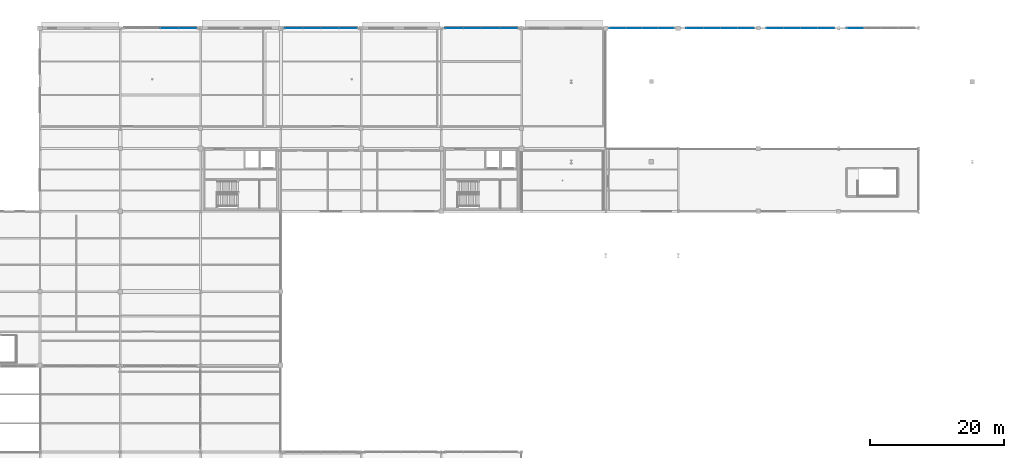
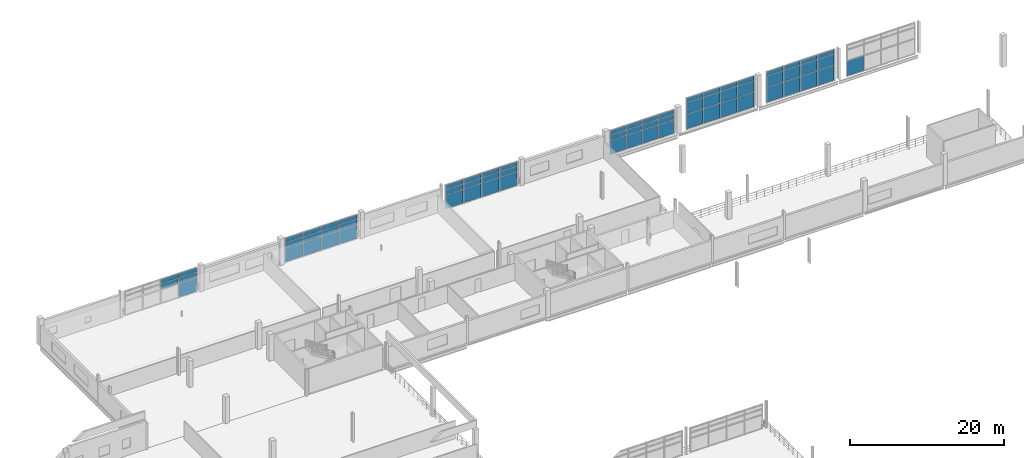
# One storey, part 62 of 89: 66 plates, 7 elements without a shape of their own.
"""IFC4 building model written with IfcOpenShell, lengths in metres."""

from ifc_helpers import new_model, si_unit, direction, frame, origin, origin_2d, place, context, subcontext, project, spatial, rectangle, extrude, material, layer, layer_set, type_object, element, aggregate, save


model = new_model("IFC4")

# Units and contexts
model_context = context("Model", 3, precision=1e-05, world=origin(), true_north=direction((0.0, 1.0)))
body_context = subcontext(model_context, "Body", "Model", "MODEL_VIEW")
ifc_project = project(units=[si_unit("LENGTHUNIT", "METRE"), si_unit("AREAUNIT", "SQUARE_METRE"), si_unit("VOLUMEUNIT", "CUBIC_METRE"), si_unit("PLANEANGLEUNIT", "RADIAN"), si_unit("MASSUNIT", "GRAM", prefix="KILO"), si_unit("THERMODYNAMICTEMPERATUREUNIT", "KELVIN"), si_unit("POWERUNIT", "WATT")], contexts=[model_context])

# Site, building, storey
site_placement = place(None, origin())
site = spatial("IfcSite", under=ifc_project, at=site_placement, CompositionType="ELEMENT")
building_placement = place(site_placement, origin())
building = spatial("IfcBuilding", under=site, at=building_placement, Name="Solmara Park Aquatics Centre", CompositionType="ELEMENT")
storey_placement = place(building_placement, frame((0.0, 0.0, 5.39990234375)))
storey = spatial("IfcBuildingStorey", under=building, at=storey_placement, Name="L01", CompositionType="ELEMENT", Elevation=5.39990234375)

# Curtain wall, plates
ifc_material_1 = material(Name="Anodised Aluminium Curtain Wall Framing", Category="aluminium")
curtain_wall_type_1 = type_object("IfcCurtainWallType", Name="ARC-CW-SYS03", PredefinedType="USERDEFINED", material=ifc_material_1)
curtain_wall_1_placement = place(storey_placement, origin())
curtain_wall_1 = element("IfcCurtainWall", 1, at=curtain_wall_1_placement, inside=storey, type_object=curtain_wall_type_1, Name="Curtain Wall CW-120", ObjectType="CURTAIN WALL", PredefinedType="USERDEFINED")
ifc_material_2 = material(Name="Double Low-E Solar-Control Glazing", Category="glass")
ifc_layer_1 = layer(ifc_material_2, 0.035888671875, Name="Double Low-E Solar-Control Glazing")
ifc_layer_set_1 = layer_set([ifc_layer_1], Name="Double Low-E Solar-Control Glazing")
plate_type_1 = type_object("IfcPlateType", Name="ARC-CWP-GLZ36-2320x2140", PredefinedType="CURTAIN_PANEL", material=ifc_layer_set_1)
plate_1_placement = place(storey_placement, frame((110.97998046875, 136.0, 0.080078125), z_axis=(0.0, 0.0, 1.0), x_axis=(1.0, 0.0, 0.0)))
plate_1 = element("IfcPlate", 2, at=plate_1_placement, type_object=plate_type_1, Name="CW-120 panel 1", PredefinedType="CURTAIN_PANEL", context=body_context, shape_type="SweptSolid", body=[
    extrude(rectangle(XDim=2.320068359375, YDim=0.035888671875, at=origin_2d()), origin(), (0.0, 0.0, 1.0), 2.13037109375),
])
plate_2_placement = place(storey_placement, frame((113.3798828125, 136.0, 0.080078125), z_axis=(0.0, 0.0, 1.0), x_axis=(1.0, 0.0, 0.0)))
plate_2 = element("IfcPlate", 3, at=plate_2_placement, type_object=plate_type_1, Name="CW-120 panel 4", PredefinedType="CURTAIN_PANEL", context=body_context, shape_type="SweptSolid", body=[
    extrude(rectangle(XDim=2.320068359375, YDim=0.035888671875, at=origin_2d()), origin(), (0.0, 0.0, 1.0), 2.13037109375),
])
plate_3_placement = place(storey_placement, frame((115.780029296875, 136.0, 0.080078125), z_axis=(0.0, 0.0, 1.0), x_axis=(1.0, 0.0, 0.0)))
plate_3 = element("IfcPlate", 4, at=plate_3_placement, type_object=plate_type_1, Name="CW-120 panel 7", PredefinedType="CURTAIN_PANEL", context=body_context, shape_type="SweptSolid", body=[
    extrude(rectangle(XDim=2.320068359375, YDim=0.035888671875, at=origin_2d()), origin(), (0.0, 0.0, 1.0), 2.13037109375),
])
plate_4_placement = place(storey_placement, frame((118.179931640625, 136.0, 0.080078125), z_axis=(0.0, 0.0, 1.0), x_axis=(1.0, 0.0, 0.0)))
plate_4 = element("IfcPlate", 5, at=plate_4_placement, type_object=plate_type_1, Name="CW-120 panel 10", PredefinedType="CURTAIN_PANEL", context=body_context, shape_type="SweptSolid", body=[
    extrude(rectangle(XDim=2.320068359375, YDim=0.035888671875, at=origin_2d()), origin(), (0.0, 0.0, 1.0), 2.13037109375),
])
ifc_layer_2 = layer(ifc_material_2, 0.035888671875, Name="Double Low-E Solar-Control Glazing")
ifc_layer_set_2 = layer_set([ifc_layer_2], Name="Double Low-E Solar-Control Glazing")
plate_type_2 = type_object("IfcPlateType", Name="ARC-CWP-GLZ36-2320x800", PredefinedType="CURTAIN_PANEL", material=ifc_layer_set_2)
plate_5_placement = place(storey_placement, frame((110.97998046875, 136.0, 2.29052734375), z_axis=(0.0, 0.0, 1.0), x_axis=(1.0, 0.0, 0.0)))
plate_5 = element("IfcPlate", 6, at=plate_5_placement, type_object=plate_type_2, Name="CW-120 panel 2", PredefinedType="CURTAIN_PANEL", context=body_context, shape_type="SweptSolid", body=[
    extrude(rectangle(XDim=2.320068359375, YDim=0.035888671875, at=origin_2d()), origin(), (0.0, 0.0, 1.0), 0.799560546875),
])
plate_6_placement = place(storey_placement, frame((113.3798828125, 136.0, 2.29052734375), z_axis=(0.0, 0.0, 1.0), x_axis=(1.0, 0.0, 0.0)))
plate_6 = element("IfcPlate", 7, at=plate_6_placement, type_object=plate_type_2, Name="CW-120 panel 5", PredefinedType="CURTAIN_PANEL", context=body_context, shape_type="SweptSolid", body=[
    extrude(rectangle(XDim=2.320068359375, YDim=0.035888671875, at=origin_2d()), origin(), (0.0, 0.0, 1.0), 0.799560546875),
])
plate_7_placement = place(storey_placement, frame((115.780029296875, 136.0, 2.29052734375), z_axis=(0.0, 0.0, 1.0), x_axis=(1.0, 0.0, 0.0)))
plate_7 = element("IfcPlate", 8, at=plate_7_placement, type_object=plate_type_2, Name="CW-120 panel 8", PredefinedType="CURTAIN_PANEL", context=body_context, shape_type="SweptSolid", body=[
    extrude(rectangle(XDim=2.320068359375, YDim=0.035888671875, at=origin_2d()), origin(), (0.0, 0.0, 1.0), 0.799560546875),
])
plate_8_placement = place(storey_placement, frame((118.179931640625, 136.0, 2.29052734375), z_axis=(0.0, 0.0, 1.0), x_axis=(1.0, 0.0, 0.0)))
plate_8 = element("IfcPlate", 9, at=plate_8_placement, type_object=plate_type_2, Name="CW-120 panel 11", PredefinedType="CURTAIN_PANEL", context=body_context, shape_type="SweptSolid", body=[
    extrude(rectangle(XDim=2.320068359375, YDim=0.035888671875, at=origin_2d()), origin(), (0.0, 0.0, 1.0), 0.799560546875),
])

curtain_wall_2_placement = place(storey_placement, origin())
curtain_wall_2 = element("IfcCurtainWall", 10, at=curtain_wall_2_placement, inside=storey, type_object=curtain_wall_type_1, Name="Curtain Wall CW-121", ObjectType="CURTAIN WALL", PredefinedType="USERDEFINED")
ifc_layer_3 = layer(ifc_material_2, 0.035888671875, Name="Double Low-E Solar-Control Glazing")
ifc_layer_set_3 = layer_set([ifc_layer_3], Name="Double Low-E Solar-Control Glazing")
plate_type_3 = type_object("IfcPlateType", Name="ARC-CWP-GLZ36-2460x1720", PredefinedType="CURTAIN_PANEL", material=ifc_layer_set_3)
plate_9_placement = place(storey_placement, frame((122.489990234375, 136.0, 2.490234375), z_axis=(0.0, 0.0, 1.0), x_axis=(1.0, 0.0, 0.0)))
plate_9 = element("IfcPlate", 11, at=plate_9_placement, type_object=plate_type_3, Name="CW-121 panel 2", PredefinedType="CURTAIN_PANEL", context=body_context, shape_type="SweptSolid", body=[
    extrude(rectangle(XDim=2.4599609375, YDim=0.035888671875, at=origin_2d()), origin(), (0.0, 0.0, 1.0), 1.719970703125),
])
plate_10_placement = place(storey_placement, frame((125.030029296875, 136.0, 2.490234375), z_axis=(0.0, 0.0, 1.0), x_axis=(1.0, 0.0, 0.0)))
plate_10 = element("IfcPlate", 12, at=plate_10_placement, type_object=plate_type_3, Name="CW-121 panel 5", PredefinedType="CURTAIN_PANEL", context=body_context, shape_type="SweptSolid", body=[
    extrude(rectangle(XDim=2.4599609375, YDim=0.035888671875, at=origin_2d()), origin(), (0.0, 0.0, 1.0), 1.719970703125),
])
plate_11_placement = place(storey_placement, frame((127.570068359375, 136.0, 2.490234375), z_axis=(0.0, 0.0, 1.0), x_axis=(1.0, 0.0, 0.0)))
plate_11 = element("IfcPlate", 13, at=plate_11_placement, type_object=plate_type_3, Name="CW-121 panel 8", PredefinedType="CURTAIN_PANEL", context=body_context, shape_type="SweptSolid", body=[
    extrude(rectangle(XDim=2.4599609375, YDim=0.035888671875, at=origin_2d()), origin(), (0.0, 0.0, 1.0), 1.719970703125),
])
plate_12_placement = place(storey_placement, frame((130.110107421875, 136.0, 2.490234375), z_axis=(0.0, 0.0, 1.0), x_axis=(1.0, 0.0, 0.0)))
plate_12 = element("IfcPlate", 14, at=plate_12_placement, type_object=plate_type_3, Name="CW-121 panel 11", PredefinedType="CURTAIN_PANEL", context=body_context, shape_type="SweptSolid", body=[
    extrude(rectangle(XDim=2.4599609375, YDim=0.035888671875, at=origin_2d()), origin(), (0.0, 0.0, 1.0), 1.719970703125),
])

curtain_wall_3_placement = place(storey_placement, origin())
curtain_wall_3 = element("IfcCurtainWall", 15, at=curtain_wall_3_placement, inside=storey, type_object=curtain_wall_type_1, Name="Curtain Wall CW-122", ObjectType="CURTAIN WALL", PredefinedType="USERDEFINED")
plate_13_placement = place(storey_placement, frame((134.489990234375, 136.0, 2.490234375), z_axis=(0.0, 0.0, 1.0), x_axis=(1.0, 0.0, 0.0)))
plate_13 = element("IfcPlate", 16, at=plate_13_placement, type_object=plate_type_3, Name="CW-122 panel 2", PredefinedType="CURTAIN_PANEL", context=body_context, shape_type="SweptSolid", body=[
    extrude(rectangle(XDim=2.4599609375, YDim=0.035888671875, at=origin_2d()), origin(), (0.0, 0.0, 1.0), 1.719970703125),
])
plate_14_placement = place(storey_placement, frame((137.030029296875, 136.0, 2.490234375), z_axis=(0.0, 0.0, 1.0), x_axis=(1.0, 0.0, 0.0)))
plate_14 = element("IfcPlate", 17, at=plate_14_placement, type_object=plate_type_3, Name="CW-122 panel 5", PredefinedType="CURTAIN_PANEL", context=body_context, shape_type="SweptSolid", body=[
    extrude(rectangle(XDim=2.4599609375, YDim=0.035888671875, at=origin_2d()), origin(), (0.0, 0.0, 1.0), 1.719970703125),
])
plate_15_placement = place(storey_placement, frame((139.570068359375, 136.0, 2.490234375), z_axis=(0.0, 0.0, 1.0), x_axis=(1.0, 0.0, 0.0)))
plate_15 = element("IfcPlate", 18, at=plate_15_placement, type_object=plate_type_3, Name="CW-122 panel 8", PredefinedType="CURTAIN_PANEL", context=body_context, shape_type="SweptSolid", body=[
    extrude(rectangle(XDim=2.4599609375, YDim=0.035888671875, at=origin_2d()), origin(), (0.0, 0.0, 1.0), 1.719970703125),
])
plate_16_placement = place(storey_placement, frame((142.110107421875, 136.0, 2.490234375), z_axis=(0.0, 0.0, 1.0), x_axis=(1.0, 0.0, 0.0)))
plate_16 = element("IfcPlate", 19, at=plate_16_placement, type_object=plate_type_3, Name="CW-122 panel 11", PredefinedType="CURTAIN_PANEL", context=body_context, shape_type="SweptSolid", body=[
    extrude(rectangle(XDim=2.4599609375, YDim=0.035888671875, at=origin_2d()), origin(), (0.0, 0.0, 1.0), 1.719970703125),
])

# Plate
ifc_layer_4 = layer(ifc_material_2, 0.035888671875, Name="Double Low-E Solar-Control Glazing")
ifc_layer_set_4 = layer_set([ifc_layer_4], Name="Double Low-E Solar-Control Glazing")
plate_type_4 = type_object("IfcPlateType", Name="ARC-CWP-GLZ36-2460x2320", PredefinedType="CURTAIN_PANEL", material=ifc_layer_set_4)
plate_17_placement = place(storey_placement, frame((122.489990234375, 136.0, 0.080078125), z_axis=(0.0, 0.0, 1.0), x_axis=(1.0, 0.0, 0.0)))
plate_17 = element("IfcPlate", 20, at=plate_17_placement, type_object=plate_type_4, Name="CW-121 panel 1", PredefinedType="CURTAIN_PANEL", context=body_context, shape_type="SweptSolid", body=[
    extrude(rectangle(XDim=2.4599609375, YDim=0.035888671875, at=origin_2d()), origin(), (0.0, 0.0, 1.0), 2.330078125),
])

plate_18_placement = place(storey_placement, frame((125.030029296875, 136.0, 0.080078125), z_axis=(0.0, 0.0, 1.0), x_axis=(1.0, 0.0, 0.0)))
plate_18 = element("IfcPlate", 21, at=plate_18_placement, type_object=plate_type_4, Name="CW-121 panel 4", PredefinedType="CURTAIN_PANEL", context=body_context, shape_type="SweptSolid", body=[
    extrude(rectangle(XDim=2.4599609375, YDim=0.035888671875, at=origin_2d()), origin(), (0.0, 0.0, 1.0), 2.330078125),
])

plate_19_placement = place(storey_placement, frame((127.570068359375, 136.0, 0.080078125), z_axis=(0.0, 0.0, 1.0), x_axis=(1.0, 0.0, 0.0)))
plate_19 = element("IfcPlate", 22, at=plate_19_placement, type_object=plate_type_4, Name="CW-121 panel 7", PredefinedType="CURTAIN_PANEL", context=body_context, shape_type="SweptSolid", body=[
    extrude(rectangle(XDim=2.4599609375, YDim=0.035888671875, at=origin_2d()), origin(), (0.0, 0.0, 1.0), 2.330078125),
])

plate_20_placement = place(storey_placement, frame((130.110107421875, 136.0, 0.080078125), z_axis=(0.0, 0.0, 1.0), x_axis=(1.0, 0.0, 0.0)))
plate_20 = element("IfcPlate", 23, at=plate_20_placement, type_object=plate_type_4, Name="CW-121 panel 10", PredefinedType="CURTAIN_PANEL", context=body_context, shape_type="SweptSolid", body=[
    extrude(rectangle(XDim=2.4599609375, YDim=0.035888671875, at=origin_2d()), origin(), (0.0, 0.0, 1.0), 2.330078125),
])

plate_21_placement = place(storey_placement, frame((134.489990234375, 136.0, 0.080078125), z_axis=(0.0, 0.0, 1.0), x_axis=(1.0, 0.0, 0.0)))
plate_21 = element("IfcPlate", 24, at=plate_21_placement, type_object=plate_type_4, Name="CW-122 panel 1", PredefinedType="CURTAIN_PANEL", context=body_context, shape_type="SweptSolid", body=[
    extrude(rectangle(XDim=2.4599609375, YDim=0.035888671875, at=origin_2d()), origin(), (0.0, 0.0, 1.0), 2.330078125),
])

plate_22_placement = place(storey_placement, frame((137.030029296875, 136.0, 0.080078125), z_axis=(0.0, 0.0, 1.0), x_axis=(1.0, 0.0, 0.0)))
plate_22 = element("IfcPlate", 25, at=plate_22_placement, type_object=plate_type_4, Name="CW-122 panel 4", PredefinedType="CURTAIN_PANEL", context=body_context, shape_type="SweptSolid", body=[
    extrude(rectangle(XDim=2.4599609375, YDim=0.035888671875, at=origin_2d()), origin(), (0.0, 0.0, 1.0), 2.330078125),
])

plate_23_placement = place(storey_placement, frame((139.570068359375, 136.0, 0.080078125), z_axis=(0.0, 0.0, 1.0), x_axis=(1.0, 0.0, 0.0)))
plate_23 = element("IfcPlate", 26, at=plate_23_placement, type_object=plate_type_4, Name="CW-122 panel 7", PredefinedType="CURTAIN_PANEL", context=body_context, shape_type="SweptSolid", body=[
    extrude(rectangle(XDim=2.4599609375, YDim=0.035888671875, at=origin_2d()), origin(), (0.0, 0.0, 1.0), 2.330078125),
])

plate_24_placement = place(storey_placement, frame((142.110107421875, 136.0, 0.080078125), z_axis=(0.0, 0.0, 1.0), x_axis=(1.0, 0.0, 0.0)))
plate_24 = element("IfcPlate", 27, at=plate_24_placement, type_object=plate_type_4, Name="CW-122 panel 10", PredefinedType="CURTAIN_PANEL", context=body_context, shape_type="SweptSolid", body=[
    extrude(rectangle(XDim=2.4599609375, YDim=0.035888671875, at=origin_2d()), origin(), (0.0, 0.0, 1.0), 2.330078125),
])

# Curtain wall, plate
curtain_wall_4_placement = place(storey_placement, origin())
curtain_wall_4 = element("IfcCurtainWall", 28, at=curtain_wall_4_placement, inside=storey, type_object=curtain_wall_type_1, Name="Curtain Wall CW-123", ObjectType="CURTAIN WALL", PredefinedType="USERDEFINED")
plate_25_placement = place(storey_placement, frame((146.489990234375, 136.0, 0.080078125), z_axis=(0.0, 0.0, 1.0), x_axis=(1.0, 0.0, 0.0)))
plate_25 = element("IfcPlate", 29, at=plate_25_placement, type_object=plate_type_4, Name="CW-123 panel 1", PredefinedType="CURTAIN_PANEL", context=body_context, shape_type="SweptSolid", body=[
    extrude(rectangle(XDim=2.4599609375, YDim=0.035888671875, at=origin_2d()), origin(), (0.0, 0.0, 1.0), 2.330078125),
])
aggregate(curtain_wall_4, [plate_25])

curtain_wall_type_2 = type_object("IfcCurtainWallType", Name="ARC-CW-SYS04", PredefinedType="USERDEFINED", material=ifc_material_1)
curtain_wall_5_placement = place(storey_placement, origin())
curtain_wall_5 = element("IfcCurtainWall", 30, at=curtain_wall_5_placement, inside=storey, type_object=curtain_wall_type_2, Name="Curtain Wall CW-117", ObjectType="CURTAIN WALL", PredefinedType="USERDEFINED")
ifc_layer_5 = layer(ifc_material_2, 0.035888671875, Name="Double Low-E Solar-Control Glazing")
ifc_layer_set_5 = layer_set([ifc_layer_5], Name="Double Low-E Solar-Control Glazing")
plate_type_5 = type_object("IfcPlateType", Name="ARC-CWP-GLZ36-2620x2140", PredefinedType="CURTAIN_PANEL", material=ifc_layer_set_5)
plate_26_placement = place(storey_placement, frame((46.6298828125, 136.0, 0.080078125), z_axis=(0.0, 0.0, 1.0), x_axis=(1.0, 0.0, 0.0)))
plate_26 = element("IfcPlate", 31, at=plate_26_placement, type_object=plate_type_5, Name="CW-117 panel 10", PredefinedType="CURTAIN_PANEL", context=body_context, shape_type="SweptSolid", body=[
    extrude(rectangle(XDim=2.6201171875, YDim=0.035888671875, at=origin_2d()), origin(), (0.0, 0.0, 1.0), 2.13037109375),
])

# Curtain wall, plates
curtain_wall_6_placement = place(storey_placement, origin())
curtain_wall_6 = element("IfcCurtainWall", 32, at=curtain_wall_6_placement, inside=storey, type_object=curtain_wall_type_2, Name="Curtain Wall CW-118", ObjectType="CURTAIN WALL", PredefinedType="USERDEFINED")
plate_27_placement = place(storey_placement, frame((62.530029296875, 136.0, 0.080078125), z_axis=(0.0, 0.0, 1.0), x_axis=(1.0, 0.0, 0.0)))
plate_27 = element("IfcPlate", 33, at=plate_27_placement, type_object=plate_type_5, Name="CW-118 panel 1", PredefinedType="CURTAIN_PANEL", context=body_context, shape_type="SweptSolid", body=[
    extrude(rectangle(XDim=2.6201171875, YDim=0.035888671875, at=origin_2d()), origin(), (0.0, 0.0, 1.0), 2.13037109375),
])
plate_28_placement = place(storey_placement, frame((65.22998046875, 136.0, 0.080078125), z_axis=(0.0, 0.0, 1.0), x_axis=(1.0, 0.0, 0.0)))
plate_28 = element("IfcPlate", 34, at=plate_28_placement, type_object=plate_type_5, Name="CW-118 panel 4", PredefinedType="CURTAIN_PANEL", context=body_context, shape_type="SweptSolid", body=[
    extrude(rectangle(XDim=2.6201171875, YDim=0.035888671875, at=origin_2d()), origin(), (0.0, 0.0, 1.0), 2.13037109375),
])
plate_29_placement = place(storey_placement, frame((67.929931640625, 136.0, 0.080078125), z_axis=(0.0, 0.0, 1.0), x_axis=(1.0, 0.0, 0.0)))
plate_29 = element("IfcPlate", 35, at=plate_29_placement, type_object=plate_type_5, Name="CW-118 panel 7", PredefinedType="CURTAIN_PANEL", context=body_context, shape_type="SweptSolid", body=[
    extrude(rectangle(XDim=2.6201171875, YDim=0.035888671875, at=origin_2d()), origin(), (0.0, 0.0, 1.0), 2.13037109375),
])
plate_30_placement = place(storey_placement, frame((70.6298828125, 136.0, 0.080078125), z_axis=(0.0, 0.0, 1.0), x_axis=(1.0, 0.0, 0.0)))
plate_30 = element("IfcPlate", 36, at=plate_30_placement, type_object=plate_type_5, Name="CW-118 panel 10", PredefinedType="CURTAIN_PANEL", context=body_context, shape_type="SweptSolid", body=[
    extrude(rectangle(XDim=2.6201171875, YDim=0.035888671875, at=origin_2d()), origin(), (0.0, 0.0, 1.0), 2.13037109375),
])

curtain_wall_7_placement = place(storey_placement, origin())
curtain_wall_7 = element("IfcCurtainWall", 37, at=curtain_wall_7_placement, inside=storey, type_object=curtain_wall_type_2, Name="Curtain Wall CW-119", ObjectType="CURTAIN WALL", PredefinedType="USERDEFINED")
plate_31_placement = place(storey_placement, frame((86.530029296875, 136.0, 0.080078125), z_axis=(0.0, 0.0, 1.0), x_axis=(1.0, 0.0, 0.0)))
plate_31 = element("IfcPlate", 38, at=plate_31_placement, type_object=plate_type_5, Name="CW-119 panel 1", PredefinedType="CURTAIN_PANEL", context=body_context, shape_type="SweptSolid", body=[
    extrude(rectangle(XDim=2.6201171875, YDim=0.035888671875, at=origin_2d()), origin(), (0.0, 0.0, 1.0), 2.13037109375),
])
plate_32_placement = place(storey_placement, frame((89.22998046875, 136.0, 0.080078125), z_axis=(0.0, 0.0, 1.0), x_axis=(1.0, 0.0, 0.0)))
plate_32 = element("IfcPlate", 39, at=plate_32_placement, type_object=plate_type_5, Name="CW-119 panel 4", PredefinedType="CURTAIN_PANEL", context=body_context, shape_type="SweptSolid", body=[
    extrude(rectangle(XDim=2.6201171875, YDim=0.035888671875, at=origin_2d()), origin(), (0.0, 0.0, 1.0), 2.13037109375),
])
plate_33_placement = place(storey_placement, frame((91.929931640625, 136.0, 0.080078125), z_axis=(0.0, 0.0, 1.0), x_axis=(1.0, 0.0, 0.0)))
plate_33 = element("IfcPlate", 40, at=plate_33_placement, type_object=plate_type_5, Name="CW-119 panel 7", PredefinedType="CURTAIN_PANEL", context=body_context, shape_type="SweptSolid", body=[
    extrude(rectangle(XDim=2.6201171875, YDim=0.035888671875, at=origin_2d()), origin(), (0.0, 0.0, 1.0), 2.13037109375),
])
plate_34_placement = place(storey_placement, frame((94.6298828125, 136.0, 0.080078125), z_axis=(0.0, 0.0, 1.0), x_axis=(1.0, 0.0, 0.0)))
plate_34 = element("IfcPlate", 41, at=plate_34_placement, type_object=plate_type_5, Name="CW-119 panel 10", PredefinedType="CURTAIN_PANEL", context=body_context, shape_type="SweptSolid", body=[
    extrude(rectangle(XDim=2.6201171875, YDim=0.035888671875, at=origin_2d()), origin(), (0.0, 0.0, 1.0), 2.13037109375),
])

# Plate
ifc_layer_6 = layer(ifc_material_2, 0.035888671875, Name="Double Low-E Solar-Control Glazing")
ifc_layer_set_6 = layer_set([ifc_layer_6], Name="Double Low-E Solar-Control Glazing")
plate_type_6 = type_object("IfcPlateType", Name="ARC-CWP-GLZ36-2620x800", PredefinedType="CURTAIN_PANEL", material=ifc_layer_set_6)
plate_35_placement = place(storey_placement, frame((43.929931640625, 136.0, 2.29052734375), z_axis=(0.0, 0.0, 1.0), x_axis=(1.0, 0.0, 0.0)))
plate_35 = element("IfcPlate", 42, at=plate_35_placement, type_object=plate_type_6, Name="CW-117 panel 8", PredefinedType="CURTAIN_PANEL", context=body_context, shape_type="SweptSolid", body=[
    extrude(rectangle(XDim=2.6201171875, YDim=0.035888671875, at=origin_2d()), origin(), (0.0, 0.0, 1.0), 0.799560546875),
])

plate_36_placement = place(storey_placement, frame((46.6298828125, 136.0, 2.29052734375), z_axis=(0.0, 0.0, 1.0), x_axis=(1.0, 0.0, 0.0)))
plate_36 = element("IfcPlate", 43, at=plate_36_placement, type_object=plate_type_6, Name="CW-117 panel 11", PredefinedType="CURTAIN_PANEL", context=body_context, shape_type="SweptSolid", body=[
    extrude(rectangle(XDim=2.6201171875, YDim=0.035888671875, at=origin_2d()), origin(), (0.0, 0.0, 1.0), 0.799560546875),
])

plate_37_placement = place(storey_placement, frame((62.530029296875, 136.0, 2.29052734375), z_axis=(0.0, 0.0, 1.0), x_axis=(1.0, 0.0, 0.0)))
plate_37 = element("IfcPlate", 44, at=plate_37_placement, type_object=plate_type_6, Name="CW-118 panel 2", PredefinedType="CURTAIN_PANEL", context=body_context, shape_type="SweptSolid", body=[
    extrude(rectangle(XDim=2.6201171875, YDim=0.035888671875, at=origin_2d()), origin(), (0.0, 0.0, 1.0), 0.799560546875),
])

plate_38_placement = place(storey_placement, frame((65.22998046875, 136.0, 2.29052734375), z_axis=(0.0, 0.0, 1.0), x_axis=(1.0, 0.0, 0.0)))
plate_38 = element("IfcPlate", 45, at=plate_38_placement, type_object=plate_type_6, Name="CW-118 panel 5", PredefinedType="CURTAIN_PANEL", context=body_context, shape_type="SweptSolid", body=[
    extrude(rectangle(XDim=2.6201171875, YDim=0.035888671875, at=origin_2d()), origin(), (0.0, 0.0, 1.0), 0.799560546875),
])

plate_39_placement = place(storey_placement, frame((67.929931640625, 136.0, 2.29052734375), z_axis=(0.0, 0.0, 1.0), x_axis=(1.0, 0.0, 0.0)))
plate_39 = element("IfcPlate", 46, at=plate_39_placement, type_object=plate_type_6, Name="CW-118 panel 8", PredefinedType="CURTAIN_PANEL", context=body_context, shape_type="SweptSolid", body=[
    extrude(rectangle(XDim=2.6201171875, YDim=0.035888671875, at=origin_2d()), origin(), (0.0, 0.0, 1.0), 0.799560546875),
])

plate_40_placement = place(storey_placement, frame((70.6298828125, 136.0, 2.29052734375), z_axis=(0.0, 0.0, 1.0), x_axis=(1.0, 0.0, 0.0)))
plate_40 = element("IfcPlate", 47, at=plate_40_placement, type_object=plate_type_6, Name="CW-118 panel 11", PredefinedType="CURTAIN_PANEL", context=body_context, shape_type="SweptSolid", body=[
    extrude(rectangle(XDim=2.6201171875, YDim=0.035888671875, at=origin_2d()), origin(), (0.0, 0.0, 1.0), 0.799560546875),
])

plate_41_placement = place(storey_placement, frame((86.530029296875, 136.0, 2.29052734375), z_axis=(0.0, 0.0, 1.0), x_axis=(1.0, 0.0, 0.0)))
plate_41 = element("IfcPlate", 48, at=plate_41_placement, type_object=plate_type_6, Name="CW-119 panel 2", PredefinedType="CURTAIN_PANEL", context=body_context, shape_type="SweptSolid", body=[
    extrude(rectangle(XDim=2.6201171875, YDim=0.035888671875, at=origin_2d()), origin(), (0.0, 0.0, 1.0), 0.799560546875),
])

plate_42_placement = place(storey_placement, frame((89.22998046875, 136.0, 2.29052734375), z_axis=(0.0, 0.0, 1.0), x_axis=(1.0, 0.0, 0.0)))
plate_42 = element("IfcPlate", 49, at=plate_42_placement, type_object=plate_type_6, Name="CW-119 panel 5", PredefinedType="CURTAIN_PANEL", context=body_context, shape_type="SweptSolid", body=[
    extrude(rectangle(XDim=2.6201171875, YDim=0.035888671875, at=origin_2d()), origin(), (0.0, 0.0, 1.0), 0.799560546875),
])

plate_43_placement = place(storey_placement, frame((91.929931640625, 136.0, 2.29052734375), z_axis=(0.0, 0.0, 1.0), x_axis=(1.0, 0.0, 0.0)))
plate_43 = element("IfcPlate", 50, at=plate_43_placement, type_object=plate_type_6, Name="CW-119 panel 8", PredefinedType="CURTAIN_PANEL", context=body_context, shape_type="SweptSolid", body=[
    extrude(rectangle(XDim=2.6201171875, YDim=0.035888671875, at=origin_2d()), origin(), (0.0, 0.0, 1.0), 0.799560546875),
])

plate_44_placement = place(storey_placement, frame((94.6298828125, 136.0, 2.29052734375), z_axis=(0.0, 0.0, 1.0), x_axis=(1.0, 0.0, 0.0)))
plate_44 = element("IfcPlate", 51, at=plate_44_placement, type_object=plate_type_6, Name="CW-119 panel 11", PredefinedType="CURTAIN_PANEL", context=body_context, shape_type="SweptSolid", body=[
    extrude(rectangle(XDim=2.6201171875, YDim=0.035888671875, at=origin_2d()), origin(), (0.0, 0.0, 1.0), 0.799560546875),
])

ifc_material_3 = material(Name="Golden-Ochre Enamelled Aluminium Fascia Panel", Category="aluminium")
ifc_layer_7 = layer(ifc_material_3, 0.0400390625, Name="Golden-Ochre Enamelled Aluminium Fascia Panel")
ifc_layer_set_7 = layer_set([ifc_layer_7], Name="Golden-Ochre Enamelled Aluminium Fascia Panel")
plate_type_7 = type_object("IfcPlateType", Name="ARC-CWP-OCH40-2320x620", PredefinedType="CURTAIN_PANEL", material=ifc_layer_set_7)
plate_45_placement = place(storey_placement, frame((110.97998046875, 136.0, 3.170166015625), z_axis=(0.0, 0.0, 1.0), x_axis=(1.0, 0.0, 0.0)))
plate_45 = element("IfcPlate", 52, at=plate_45_placement, type_object=plate_type_7, Name="CW-120 panel 3", PredefinedType="CURTAIN_PANEL", context=body_context, shape_type="SweptSolid", body=[
    extrude(rectangle(XDim=2.320068359375, YDim=0.0400390625, at=origin_2d()), origin(), (0.0, 0.0, 1.0), 0.6298828125),
])

plate_46_placement = place(storey_placement, frame((113.3798828125, 136.0, 3.170166015625), z_axis=(0.0, 0.0, 1.0), x_axis=(1.0, 0.0, 0.0)))
plate_46 = element("IfcPlate", 53, at=plate_46_placement, type_object=plate_type_7, Name="CW-120 panel 6", PredefinedType="CURTAIN_PANEL", context=body_context, shape_type="SweptSolid", body=[
    extrude(rectangle(XDim=2.320068359375, YDim=0.0400390625, at=origin_2d()), origin(), (0.0, 0.0, 1.0), 0.6298828125),
])

plate_47_placement = place(storey_placement, frame((115.780029296875, 136.0, 3.170166015625), z_axis=(0.0, 0.0, 1.0), x_axis=(1.0, 0.0, 0.0)))
plate_47 = element("IfcPlate", 54, at=plate_47_placement, type_object=plate_type_7, Name="CW-120 panel 9", PredefinedType="CURTAIN_PANEL", context=body_context, shape_type="SweptSolid", body=[
    extrude(rectangle(XDim=2.320068359375, YDim=0.0400390625, at=origin_2d()), origin(), (0.0, 0.0, 1.0), 0.6298828125),
])

plate_48_placement = place(storey_placement, frame((118.179931640625, 136.0, 3.170166015625), z_axis=(0.0, 0.0, 1.0), x_axis=(1.0, 0.0, 0.0)))
plate_48 = element("IfcPlate", 55, at=plate_48_placement, type_object=plate_type_7, Name="CW-120 panel 12", PredefinedType="CURTAIN_PANEL", context=body_context, shape_type="SweptSolid", body=[
    extrude(rectangle(XDim=2.320068359375, YDim=0.0400390625, at=origin_2d()), origin(), (0.0, 0.0, 1.0), 0.6298828125),
])

aggregate(curtain_wall_1, [plate_1, plate_5, plate_45, plate_2, plate_6, plate_46, plate_3, plate_7, plate_47, plate_4, plate_8, plate_48])

ifc_material_4 = material(Name="Insulated Anodised Aluminium Spandrel Panel", Category="aluminium")
ifc_layer_8 = layer(ifc_material_4, 0.0439453125, Name="Insulated Anodised Aluminium Spandrel Panel")
ifc_layer_set_8 = layer_set([ifc_layer_8], Name="Insulated Anodised Aluminium Spandrel Panel")
plate_type_8 = type_object("IfcPlateType", Name="ARC-CWP-SPN44-2460x640", PredefinedType="CURTAIN_PANEL", material=ifc_layer_set_8)
plate_49_placement = place(storey_placement, frame((122.489990234375, 136.0, 4.2900390625), z_axis=(0.0, 0.0, 1.0), x_axis=(1.0, 0.0, 0.0)))
plate_49 = element("IfcPlate", 56, at=plate_49_placement, type_object=plate_type_8, Name="CW-121 panel 3", PredefinedType="CURTAIN_PANEL", context=body_context, shape_type="SweptSolid", body=[
    extrude(rectangle(XDim=2.4599609375, YDim=0.0439453125, at=origin_2d()), origin(), (0.0, 0.0, 1.0), 0.6298828125),
])

plate_50_placement = place(storey_placement, frame((125.030029296875, 136.0, 4.2900390625), z_axis=(0.0, 0.0, 1.0), x_axis=(1.0, 0.0, 0.0)))
plate_50 = element("IfcPlate", 57, at=plate_50_placement, type_object=plate_type_8, Name="CW-121 panel 6", PredefinedType="CURTAIN_PANEL", context=body_context, shape_type="SweptSolid", body=[
    extrude(rectangle(XDim=2.4599609375, YDim=0.0439453125, at=origin_2d()), origin(), (0.0, 0.0, 1.0), 0.6298828125),
])

plate_51_placement = place(storey_placement, frame((127.570068359375, 136.0, 4.2900390625), z_axis=(0.0, 0.0, 1.0), x_axis=(1.0, 0.0, 0.0)))
plate_51 = element("IfcPlate", 58, at=plate_51_placement, type_object=plate_type_8, Name="CW-121 panel 9", PredefinedType="CURTAIN_PANEL", context=body_context, shape_type="SweptSolid", body=[
    extrude(rectangle(XDim=2.4599609375, YDim=0.0439453125, at=origin_2d()), origin(), (0.0, 0.0, 1.0), 0.6298828125),
])

plate_52_placement = place(storey_placement, frame((130.110107421875, 136.0, 4.2900390625), z_axis=(0.0, 0.0, 1.0), x_axis=(1.0, 0.0, 0.0)))
plate_52 = element("IfcPlate", 59, at=plate_52_placement, type_object=plate_type_8, Name="CW-121 panel 12", PredefinedType="CURTAIN_PANEL", context=body_context, shape_type="SweptSolid", body=[
    extrude(rectangle(XDim=2.4599609375, YDim=0.0439453125, at=origin_2d()), origin(), (0.0, 0.0, 1.0), 0.6298828125),
])

aggregate(curtain_wall_2, [plate_17, plate_9, plate_49, plate_18, plate_10, plate_50, plate_19, plate_11, plate_51, plate_20, plate_12, plate_52])

plate_53_placement = place(storey_placement, frame((134.489990234375, 136.0, 4.2900390625), z_axis=(0.0, 0.0, 1.0), x_axis=(1.0, 0.0, 0.0)))
plate_53 = element("IfcPlate", 60, at=plate_53_placement, type_object=plate_type_8, Name="CW-122 panel 3", PredefinedType="CURTAIN_PANEL", context=body_context, shape_type="SweptSolid", body=[
    extrude(rectangle(XDim=2.4599609375, YDim=0.0439453125, at=origin_2d()), origin(), (0.0, 0.0, 1.0), 0.6298828125),
])

plate_54_placement = place(storey_placement, frame((137.030029296875, 136.0, 4.2900390625), z_axis=(0.0, 0.0, 1.0), x_axis=(1.0, 0.0, 0.0)))
plate_54 = element("IfcPlate", 61, at=plate_54_placement, type_object=plate_type_8, Name="CW-122 panel 6", PredefinedType="CURTAIN_PANEL", context=body_context, shape_type="SweptSolid", body=[
    extrude(rectangle(XDim=2.4599609375, YDim=0.0439453125, at=origin_2d()), origin(), (0.0, 0.0, 1.0), 0.6298828125),
])

plate_55_placement = place(storey_placement, frame((139.570068359375, 136.0, 4.2900390625), z_axis=(0.0, 0.0, 1.0), x_axis=(1.0, 0.0, 0.0)))
plate_55 = element("IfcPlate", 62, at=plate_55_placement, type_object=plate_type_8, Name="CW-122 panel 9", PredefinedType="CURTAIN_PANEL", context=body_context, shape_type="SweptSolid", body=[
    extrude(rectangle(XDim=2.4599609375, YDim=0.0439453125, at=origin_2d()), origin(), (0.0, 0.0, 1.0), 0.6298828125),
])

plate_56_placement = place(storey_placement, frame((142.110107421875, 136.0, 4.2900390625), z_axis=(0.0, 0.0, 1.0), x_axis=(1.0, 0.0, 0.0)))
plate_56 = element("IfcPlate", 63, at=plate_56_placement, type_object=plate_type_8, Name="CW-122 panel 12", PredefinedType="CURTAIN_PANEL", context=body_context, shape_type="SweptSolid", body=[
    extrude(rectangle(XDim=2.4599609375, YDim=0.0439453125, at=origin_2d()), origin(), (0.0, 0.0, 1.0), 0.6298828125),
])

aggregate(curtain_wall_3, [plate_21, plate_13, plate_53, plate_22, plate_14, plate_54, plate_23, plate_15, plate_55, plate_24, plate_16, plate_56])

ifc_layer_9 = layer(ifc_material_4, 0.0439453125, Name="Insulated Anodised Aluminium Spandrel Panel")
ifc_layer_set_9 = layer_set([ifc_layer_9], Name="Insulated Anodised Aluminium Spandrel Panel")
plate_type_9 = type_object("IfcPlateType", Name="ARC-CWP-SPN44-2620x620", PredefinedType="CURTAIN_PANEL", material=ifc_layer_set_9)
plate_57_placement = place(storey_placement, frame((43.929931640625, 136.0, 3.170166015625), z_axis=(0.0, 0.0, 1.0), x_axis=(1.0, 0.0, 0.0)))
plate_57 = element("IfcPlate", 64, at=plate_57_placement, type_object=plate_type_9, Name="CW-117 panel 9", PredefinedType="CURTAIN_PANEL", context=body_context, shape_type="SweptSolid", body=[
    extrude(rectangle(XDim=2.6201171875, YDim=0.0439453125, at=origin_2d()), origin(), (0.0, 0.0, 1.0), 0.6298828125),
])

plate_58_placement = place(storey_placement, frame((46.6298828125, 136.0, 3.170166015625), z_axis=(0.0, 0.0, 1.0), x_axis=(1.0, 0.0, 0.0)))
plate_58 = element("IfcPlate", 65, at=plate_58_placement, type_object=plate_type_9, Name="CW-117 panel 12", PredefinedType="CURTAIN_PANEL", context=body_context, shape_type="SweptSolid", body=[
    extrude(rectangle(XDim=2.6201171875, YDim=0.0439453125, at=origin_2d()), origin(), (0.0, 0.0, 1.0), 0.6298828125),
])

aggregate(curtain_wall_5, [plate_35, plate_57, plate_26, plate_36, plate_58])

plate_59_placement = place(storey_placement, frame((62.530029296875, 136.0, 3.170166015625), z_axis=(0.0, 0.0, 1.0), x_axis=(1.0, 0.0, 0.0)))
plate_59 = element("IfcPlate", 66, at=plate_59_placement, type_object=plate_type_9, Name="CW-118 panel 3", PredefinedType="CURTAIN_PANEL", context=body_context, shape_type="SweptSolid", body=[
    extrude(rectangle(XDim=2.6201171875, YDim=0.0439453125, at=origin_2d()), origin(), (0.0, 0.0, 1.0), 0.6298828125),
])

plate_60_placement = place(storey_placement, frame((65.22998046875, 136.0, 3.170166015625), z_axis=(0.0, 0.0, 1.0), x_axis=(1.0, 0.0, 0.0)))
plate_60 = element("IfcPlate", 67, at=plate_60_placement, type_object=plate_type_9, Name="CW-118 panel 6", PredefinedType="CURTAIN_PANEL", context=body_context, shape_type="SweptSolid", body=[
    extrude(rectangle(XDim=2.6201171875, YDim=0.0439453125, at=origin_2d()), origin(), (0.0, 0.0, 1.0), 0.6298828125),
])

plate_61_placement = place(storey_placement, frame((67.929931640625, 136.0, 3.170166015625), z_axis=(0.0, 0.0, 1.0), x_axis=(1.0, 0.0, 0.0)))
plate_61 = element("IfcPlate", 68, at=plate_61_placement, type_object=plate_type_9, Name="CW-118 panel 9", PredefinedType="CURTAIN_PANEL", context=body_context, shape_type="SweptSolid", body=[
    extrude(rectangle(XDim=2.6201171875, YDim=0.0439453125, at=origin_2d()), origin(), (0.0, 0.0, 1.0), 0.6298828125),
])

plate_62_placement = place(storey_placement, frame((70.6298828125, 136.0, 3.170166015625), z_axis=(0.0, 0.0, 1.0), x_axis=(1.0, 0.0, 0.0)))
plate_62 = element("IfcPlate", 69, at=plate_62_placement, type_object=plate_type_9, Name="CW-118 panel 12", PredefinedType="CURTAIN_PANEL", context=body_context, shape_type="SweptSolid", body=[
    extrude(rectangle(XDim=2.6201171875, YDim=0.0439453125, at=origin_2d()), origin(), (0.0, 0.0, 1.0), 0.6298828125),
])

aggregate(curtain_wall_6, [plate_27, plate_37, plate_59, plate_28, plate_38, plate_60, plate_29, plate_39, plate_61, plate_30, plate_40, plate_62])

plate_63_placement = place(storey_placement, frame((86.530029296875, 136.0, 3.170166015625), z_axis=(0.0, 0.0, 1.0), x_axis=(1.0, 0.0, 0.0)))
plate_63 = element("IfcPlate", 70, at=plate_63_placement, type_object=plate_type_9, Name="CW-119 panel 3", PredefinedType="CURTAIN_PANEL", context=body_context, shape_type="SweptSolid", body=[
    extrude(rectangle(XDim=2.6201171875, YDim=0.0439453125, at=origin_2d()), origin(), (0.0, 0.0, 1.0), 0.6298828125),
])

plate_64_placement = place(storey_placement, frame((89.22998046875, 136.0, 3.170166015625), z_axis=(0.0, 0.0, 1.0), x_axis=(1.0, 0.0, 0.0)))
plate_64 = element("IfcPlate", 71, at=plate_64_placement, type_object=plate_type_9, Name="CW-119 panel 6", PredefinedType="CURTAIN_PANEL", context=body_context, shape_type="SweptSolid", body=[
    extrude(rectangle(XDim=2.6201171875, YDim=0.0439453125, at=origin_2d()), origin(), (0.0, 0.0, 1.0), 0.6298828125),
])

plate_65_placement = place(storey_placement, frame((91.929931640625, 136.0, 3.170166015625), z_axis=(0.0, 0.0, 1.0), x_axis=(1.0, 0.0, 0.0)))
plate_65 = element("IfcPlate", 72, at=plate_65_placement, type_object=plate_type_9, Name="CW-119 panel 9", PredefinedType="CURTAIN_PANEL", context=body_context, shape_type="SweptSolid", body=[
    extrude(rectangle(XDim=2.6201171875, YDim=0.0439453125, at=origin_2d()), origin(), (0.0, 0.0, 1.0), 0.6298828125),
])

plate_66_placement = place(storey_placement, frame((94.6298828125, 136.0, 3.170166015625), z_axis=(0.0, 0.0, 1.0), x_axis=(1.0, 0.0, 0.0)))
plate_66 = element("IfcPlate", 73, at=plate_66_placement, type_object=plate_type_9, Name="CW-119 panel 12", PredefinedType="CURTAIN_PANEL", context=body_context, shape_type="SweptSolid", body=[
    extrude(rectangle(XDim=2.6201171875, YDim=0.0439453125, at=origin_2d()), origin(), (0.0, 0.0, 1.0), 0.6298828125),
])

aggregate(curtain_wall_7, [plate_31, plate_41, plate_63, plate_32, plate_42, plate_64, plate_33, plate_43, plate_65, plate_34, plate_44, plate_66])

save(model, "model.ifc")
